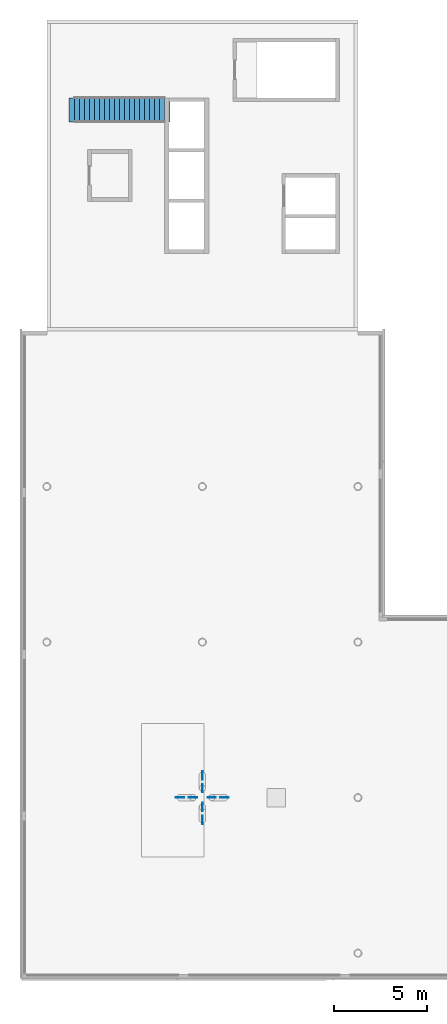
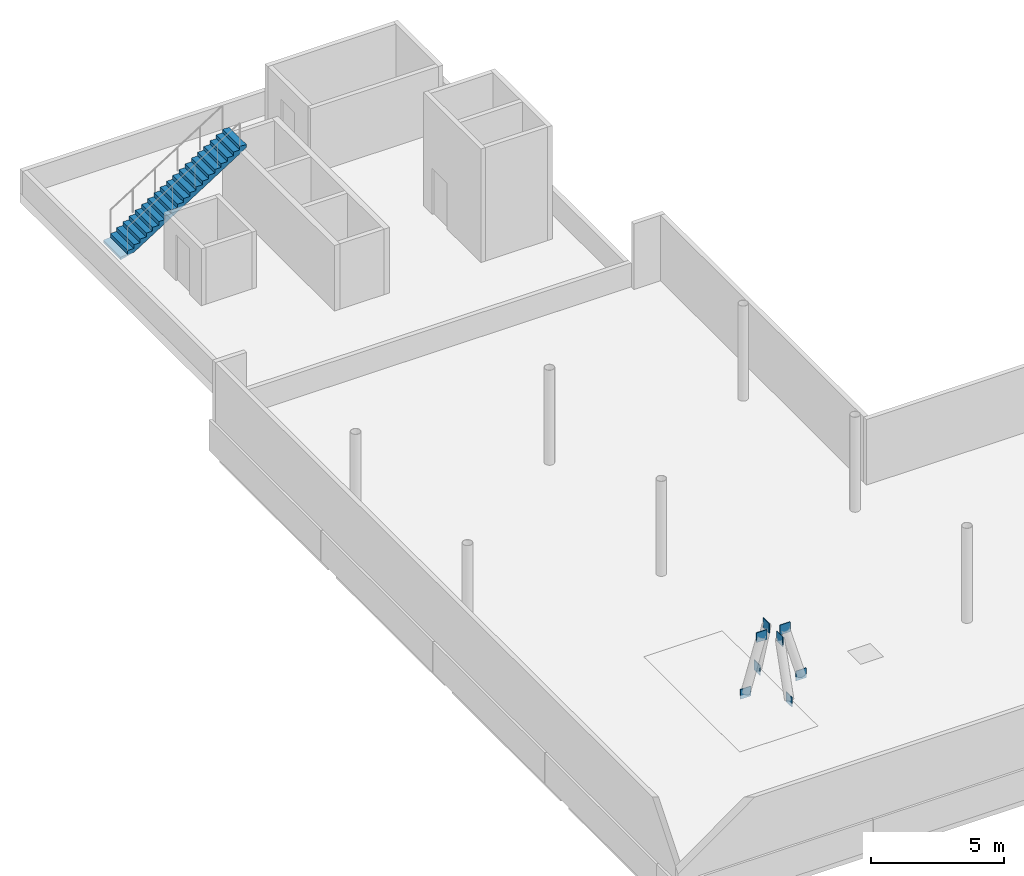
# One storey, part 3 of 4: 8 discrete accessories, 1 stair flight, 1 element without a shape of its own.
"""IFC4 building model written with IfcOpenShell, lengths in metres."""

from ifc_helpers import new_model, si_unit, direction, frame, origin, origin_2d, place, context, subcontext, project, spatial, polyline, rectangle, outline, extrude, material, type_object, element, aggregate, save


model = new_model("IFC4")

# Units and contexts
model_context = context("Model", 3, precision=1e-05, world=origin(), true_north=direction((0.0, 1.0)))
body_context = subcontext(model_context, "Body", "Model", "MODEL_VIEW")
ifc_project = project(units=[si_unit("LENGTHUNIT", "METRE"), si_unit("AREAUNIT", "SQUARE_METRE"), si_unit("VOLUMEUNIT", "CUBIC_METRE"), si_unit("PLANEANGLEUNIT", "RADIAN"), si_unit("MASSUNIT", "GRAM", prefix="KILO")], contexts=[model_context])

# Site, building, storey
site_placement = place(None, origin())
site = spatial("IfcSite", under=ifc_project, at=site_placement, CompositionType="ELEMENT")
building_placement = place(site_placement, origin())
building = spatial("IfcBuilding", under=site, at=building_placement, Name="Vermilion Gate Residences", CompositionType="ELEMENT")
storey_placement = place(building_placement, frame((0.0, 0.0, 284.199951171875)))
storey = spatial("IfcBuildingStorey", under=building, at=storey_placement, Name="ROOF", CompositionType="ELEMENT", Elevation=284.199951171875)

# Stair, stair flight
ifc_material_1 = material(Name="Concrete C50", Category="concrete")
stair_type = type_object("IfcStairType", Name="ROOF ACCESS STAIR 1300", PredefinedType="STRAIGHT_RUN_STAIR", material=ifc_material_1)
stair_placement = place(storey_placement, origin())
stair = element("IfcStair", 1, at=stair_placement, inside=storey, type_object=stair_type, Name="Roof access stair STB3-ROOF", PredefinedType="STRAIGHT_RUN_STAIR")
ifc_material_2 = material(Name="Concrete C50", Category="concrete")
stair_flight_type = type_object("IfcStairFlightType", Name="STAIR FLIGHT 1300 RC C50", PredefinedType="STRAIGHT", material=ifc_material_2)
stair_flight_placement = place(storey_placement, frame((9.889892578125, 53.949951171875, 0.0), z_axis=(0.0, 0.0, 1.0), x_axis=(1.0, 0.0, 0.0)))
stair_flight = element("IfcStairFlight", 2, at=stair_flight_placement, type_object=stair_flight_type, Name="STB3-ROOF flight 1", NumberOfRisers=19, NumberOfTreads=18, PredefinedType="STRAIGHT", RiserHeight=0.171052632, TreadLength=0.27, context=body_context, shape_type="SweptSolid", body=[
    extrude(outline(polyline([(-0.300048828125, -0.14990234375), (-0.300048828125, -0.030029296875), (0.0, 0.0), (0.0, 0.171142578125), (0.27001953125, 0.171142578125), (0.27001953125, 0.342041015625), (0.5400390625, 0.342041015625), (0.5400390625, 0.51318359375), (0.81005859375, 0.51318359375), (0.81005859375, 0.684326171875), (1.080078125, 0.684326171875), (1.080078125, 0.855224609375), (1.35009765625, 0.855224609375), (1.35009765625, 1.0263671875), (1.6201171875, 1.0263671875), (1.6201171875, 1.197265625), (1.889892578125, 1.197265625), (1.889892578125, 1.368408203125), (2.159912109375, 1.368408203125), (2.159912109375, 1.53955078125), (2.429931640625, 1.53955078125), (2.429931640625, 1.71044921875), (2.699951171875, 1.71044921875), (2.699951171875, 1.881591796875), (2.969970703125, 1.881591796875), (2.969970703125, 2.052734375), (3.239990234375, 2.052734375), (3.239990234375, 2.2236328125), (3.510009765625, 2.2236328125), (3.510009765625, 2.394775390625), (3.780029296875, 2.394775390625), (3.780029296875, 2.565673828125), (4.050048828125, 2.565673828125), (4.050048828125, 2.73681640625), (4.320068359375, 2.73681640625), (4.320068359375, 2.907958984375), (4.590087890625, 2.907958984375), (4.590087890625, 3.078857421875), (4.860107421875, 3.078857421875), (4.860107421875, 3.25), (5.159912109375, 3.219970703125), (5.159912109375, 3.10009765625), (4.860107421875, 2.901611328125), (0.280029296875, 0.0), (-0.300048828125, -0.14990234375)])), frame((0.0, 0.64990234375, 0.0), z_axis=(0.0, -1.0, 0.0), x_axis=(1.0, 0.0, 0.0)), (0.0, 0.0, 1.0), 1.300048828125),
])
aggregate(stair, [stair_flight])

# Discrete accessories
for number, where, z_axis, x_axis, name in (
    (3, (18.0, 16.800048828125, -0.17578125), (0.0, 0.0, 1.0), (1.0, 0.0, 0.0), "Gusset plate MB1 1"),
    (4, (17.30810546875, 16.800048828125, 2.17529296875), (0.0, 0.0, 1.0), (1.0, 0.0, 0.0), "Gusset plate MB1 2"),
):
    element("IfcDiscreteAccessory", number, at=place(storey_placement, frame(where, z_axis=z_axis, x_axis=x_axis)), inside=storey, Name=name, ObjectType="GUSSET PLATE", PredefinedType="USERDEFINED", context=body_context, shape_type="SweptSolid", body=[
        extrude(rectangle(XDim=0.449951171875, YDim=0.030029296875, at=origin_2d()), origin(), (0.0, 0.0, 1.0), 0.449951171875),
    ])
for number, where, z_axis, x_axis, name in (
    (5, (16.800048828125, 18.0, -0.17578125), (0.0, 0.0, 1.0), (1.0, 0.0, 0.0), "Gusset plate MB2 1"),
    (6, (16.800048828125, 17.30810546875, 2.17529296875), (0.0, 0.0, 1.0), (1.0, 0.0, 0.0), "Gusset plate MB2 2"),
):
    element("IfcDiscreteAccessory", number, at=place(storey_placement, frame(where, z_axis=z_axis, x_axis=x_axis)), inside=storey, Name=name, ObjectType="GUSSET PLATE", PredefinedType="USERDEFINED", context=body_context, shape_type="SweptSolid", body=[
        extrude(rectangle(XDim=0.030029296875, YDim=0.449951171875, at=origin_2d()), origin(), (0.0, 0.0, 1.0), 0.449951171875),
    ])
for number, where, z_axis, x_axis, name in (
    (7, (15.60009765625, 16.800048828125, -0.17578125), (0.0, 0.0, 1.0), (1.0, 0.0, 0.0), "Gusset plate MB3 1"),
    (8, (16.2919921875, 16.800048828125, 2.17529296875), (0.0, 0.0, 1.0), (1.0, 0.0, 0.0), "Gusset plate MB3 2"),
):
    element("IfcDiscreteAccessory", number, at=place(storey_placement, frame(where, z_axis=z_axis, x_axis=x_axis)), inside=storey, Name=name, ObjectType="GUSSET PLATE", PredefinedType="USERDEFINED", context=body_context, shape_type="SweptSolid", body=[
        extrude(rectangle(XDim=0.449951171875, YDim=0.030029296875, at=origin_2d()), origin(), (0.0, 0.0, 1.0), 0.449951171875),
    ])
for number, where, z_axis, x_axis, name in (
    (9, (16.800048828125, 15.60009765625, -0.17578125), (0.0, 0.0, 1.0), (1.0, 0.0, 0.0), "Gusset plate MB4 1"),
    (10, (16.800048828125, 16.2919921875, 2.17529296875), (0.0, 0.0, 1.0), (1.0, 0.0, 0.0), "Gusset plate MB4 2"),
):
    element("IfcDiscreteAccessory", number, at=place(storey_placement, frame(where, z_axis=z_axis, x_axis=x_axis)), inside=storey, Name=name, ObjectType="GUSSET PLATE", PredefinedType="USERDEFINED", context=body_context, shape_type="SweptSolid", body=[
        extrude(rectangle(XDim=0.030029296875, YDim=0.449951171875, at=origin_2d()), origin(), (0.0, 0.0, 1.0), 0.449951171875),
    ])

save(model, "model.ifc")
